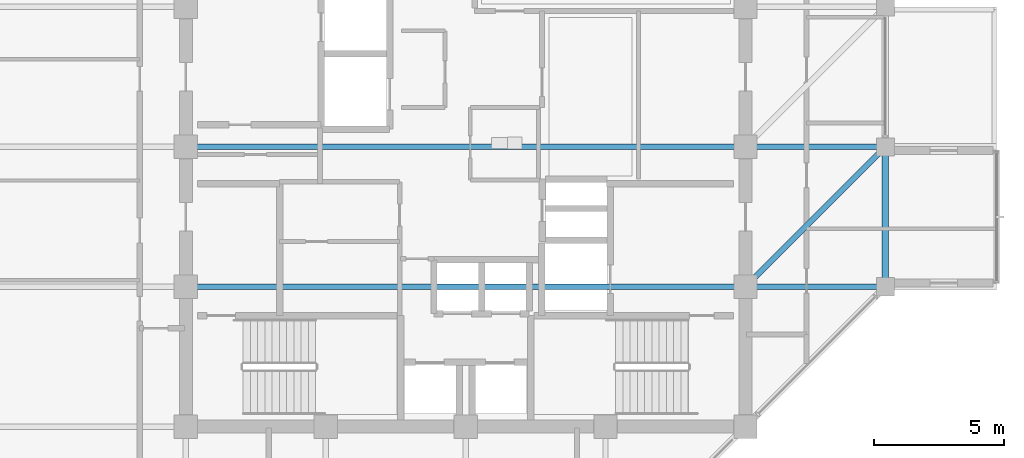
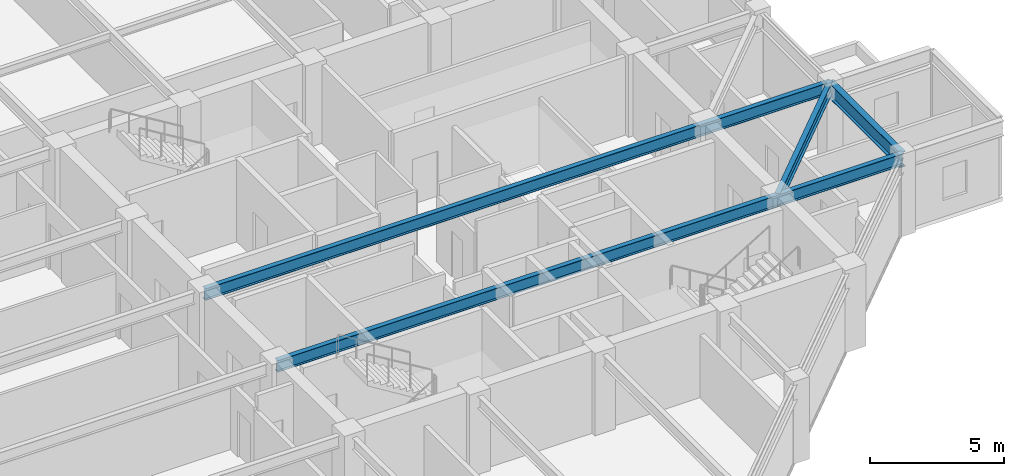
# One storey, part 10 of 31: 4 beams.
"""IFC4 building model written with IfcOpenShell, lengths in metres."""

from ifc_helpers import new_model, si_unit, direction, frame, origin, origin_2d, place, context, subcontext, project, spatial, i_section, extrude, material, material_profile, profile_set, type_object, element, save


model = new_model("IFC4")

# Units and contexts
model_context = context("Model", 3, precision=1e-05, world=origin(), true_north=direction((0.0, 1.0)))
body_context = subcontext(model_context, "Body", "Model", "MODEL_VIEW")
ifc_project = project(units=[si_unit("LENGTHUNIT", "METRE"), si_unit("AREAUNIT", "SQUARE_METRE"), si_unit("VOLUMEUNIT", "CUBIC_METRE"), si_unit("PLANEANGLEUNIT", "RADIAN"), si_unit("MASSUNIT", "GRAM", prefix="KILO")], contexts=[model_context])

# Site, building, storey
site_placement = place(None, origin())
site = spatial("IfcSite", under=ifc_project, at=site_placement, CompositionType="ELEMENT")
building_placement = place(site_placement, origin())
building = spatial("IfcBuilding", under=site, at=building_placement, Name="Surkhivell Harbour Commons", CompositionType="ELEMENT")
storey_placement = place(building_placement, frame((0.0, 0.0, 315.0)))
storey = spatial("IfcBuildingStorey", under=building, at=storey_placement, Name="L82", CompositionType="ELEMENT", Elevation=315.0)

# Beams
ifc_material = material(Name="Steel S355", Category="steel")
ifc_material_profile_1 = material_profile(ifc_material, i_section(OverallWidth=0.2099609375, OverallDepth=0.537109375, WebThickness=0.0107421875, FlangeThickness=0.017333984375, at=origin_2d()), Name="UB533x210x101")
ifc_profile_set_1 = profile_set([ifc_material_profile_1], Name="Steel S355")
beam_type_1 = type_object("IfcBeamType", Name="BM-GRD-533B", PredefinedType="BEAM", material=ifc_profile_set_1)
for number, where, z_axis, x_axis, name in (
    (1, (-10.800048828125, -5.39990234375, 3.301513671875), (1.0, 0.0, 0.0), (0.0, 1.0, 0.0), "L82 Cantilever Back-Span Girder (-10.8,-5.4)"),
    (2, (-10.800048828125, 0.0, 3.301513671875), (1.0, 0.0, 0.0), (0.0, 1.0, 0.0), "L82 Cantilever Back-Span Girder (-10.8,0.0)"),
):
    element("IfcBeam", number, at=place(storey_placement, frame(where, z_axis=z_axis, x_axis=x_axis)), inside=storey, type_object=beam_type_1, Name=name, PredefinedType="BEAM", context=body_context, shape_type="SweptSolid", body=[
        extrude(i_section(OverallWidth=0.2099609375, OverallDepth=0.537109375, WebThickness=0.0107421875, FlangeThickness=0.017333984375, at=origin_2d()), origin(), (0.0, 0.0, 1.0), 27.0),
    ])
beam_1_placement = place(storey_placement, frame((10.800048828125, -5.39990234375, 3.301513671875), z_axis=(0.707106781187, 0.707106781187, 0.0), x_axis=(-0.707106781187, 0.707106781187, 0.0)))
element("IfcBeam", 3, at=beam_1_placement, inside=storey, type_object=beam_type_1, Name="L82 Floor Girder (10.8,-5.4)", PredefinedType="BEAM", context=body_context, shape_type="SweptSolid", body=[
    extrude(i_section(OverallWidth=0.2099609375, OverallDepth=0.537109375, WebThickness=0.0107421875, FlangeThickness=0.017333984375, at=origin_2d()), origin(), (0.0, 0.0, 1.0), 7.63671875),
])
ifc_material_profile_2 = material_profile(ifc_material, i_section(OverallWidth=0.256103515625, OverallDepth=0.693115234375, WebThickness=0.014404296875, FlangeThickness=0.023681640625, at=origin_2d()), Name="UB686x254x170")
ifc_profile_set_2 = profile_set([ifc_material_profile_2], Name="Steel S355")
beam_type_2 = type_object("IfcBeamType", Name="BM-SPN-686", PredefinedType="SPANDREL", material=ifc_profile_set_2)
beam_2_placement = place(storey_placement, frame((16.199951171875, -5.39990234375, 3.223388671875), z_axis=(0.0, 1.0, 0.0), x_axis=(-1.0, 0.0, 0.0)))
element("IfcBeam", 4, at=beam_2_placement, inside=storey, type_object=beam_type_2, Name="L82 Tube Spandrel (16.2,-5.4)", PredefinedType="SPANDREL", context=body_context, shape_type="SweptSolid", body=[
    extrude(i_section(OverallWidth=0.256103515625, OverallDepth=0.693115234375, WebThickness=0.014404296875, FlangeThickness=0.023681640625, at=origin_2d()), origin(), (0.0, 0.0, 1.0), 5.39990234375),
])

save(model, "model.ifc")
